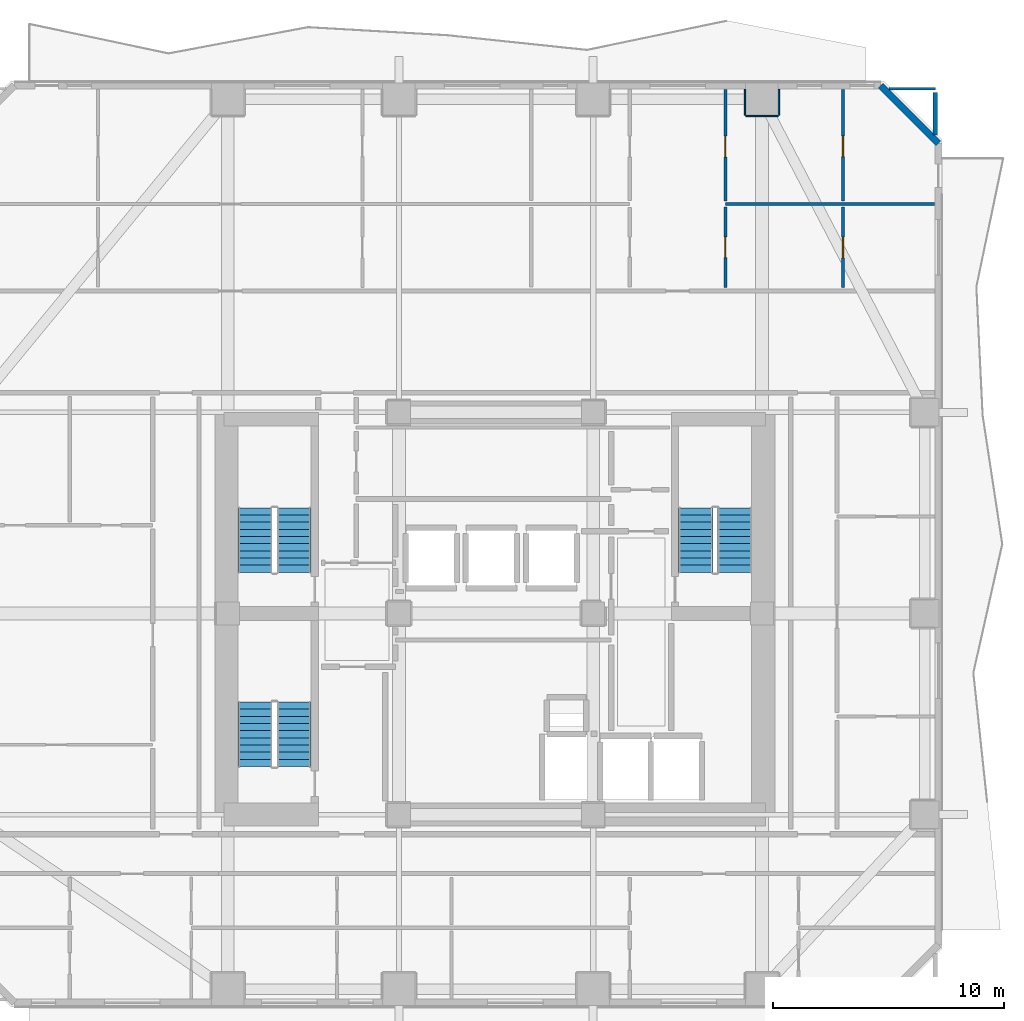
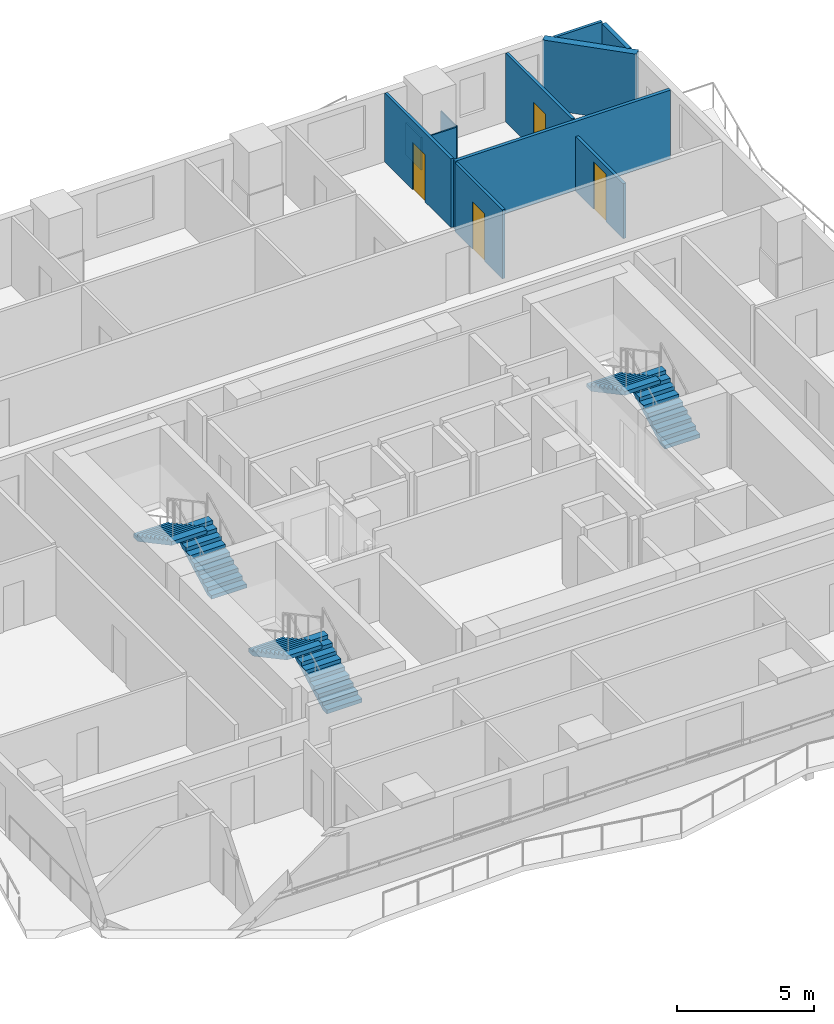
# One storey, part 7 of 12: 11 walls, 6 stair flights, 4 doors, 4 openings, 3 elements without a shape of their own.
"""IFC4 building model written with IfcOpenShell, lengths in metres."""

from ifc_helpers import new_model, si_unit, direction, frame, frame_2d, origin, place, context, subcontext, project, spatial, polyline, rectangle, outline, extrude, material, layer, layer_set, type_object, element, fill, aggregate, save


model = new_model("IFC4")

# Units and contexts
model_context = context("Model", 3, precision=1e-05, world=origin(), true_north=direction((0.0, 1.0)))
body_context = subcontext(model_context, "Body", "Model", "MODEL_VIEW")
ifc_project = project(units=[si_unit("LENGTHUNIT", "METRE"), si_unit("AREAUNIT", "SQUARE_METRE"), si_unit("VOLUMEUNIT", "CUBIC_METRE"), si_unit("PLANEANGLEUNIT", "RADIAN"), si_unit("MASSUNIT", "GRAM", prefix="KILO")], contexts=[model_context])

# Site, building, storey
site_placement = place(None, origin())
site = spatial("IfcSite", under=ifc_project, at=site_placement, CompositionType="ELEMENT")
building_placement = place(site_placement, origin())
building = spatial("IfcBuilding", under=site, at=building_placement, Name="Solanera Arch Residences", CompositionType="ELEMENT")
storey_placement = place(building_placement, frame((0.0, 0.0, 96.1201171875)))
storey = spatial("IfcBuildingStorey", under=building, at=storey_placement, Name="L27", CompositionType="ELEMENT", Elevation=96.1201171875)

# Walls
ifc_material_1 = material(Name="Fire-Rated Gypsum Stud Partition", Category="gypsum")
ifc_layer_1 = layer(ifc_material_1, 0.06005859375)
ifc_layer_set_1 = layer_set([ifc_layer_1], Name="Fire-Rated Gypsum Stud Partition")
wall_type_1 = type_object("IfcWallType", Name="Column Acoustic Furring Wall 60", PredefinedType="PARTITIONING", material=ifc_layer_set_1)
wall_1_placement = place(storey_placement, frame((35.800048828125, 52.218017578125, 0.0), z_axis=(0.0, 0.0, 1.0), x_axis=(1.0, 0.0, 0.0)))
element("IfcWall", 1, at=wall_1_placement, inside=storey, type_object=wall_type_1, Name="L27 Column Furring 16S", PredefinedType="PARTITIONING", context=body_context, shape_type="SweptSolid", body=[
    extrude(rectangle(XDim=1.39990234375, YDim=0.06005859375, at=frame_2d((0.699951171875, 0.0))), origin(), (0.0, 0.0, 1.0), 1.449951171875),
])
for number, where, z_axis, x_axis, name in (
    (2, (35.76806640625, 52.25, 0.0), (0.0, 0.0, 1.0), (0.0, 1.0, 0.0), "L27 Column Furring 16W"),
    (3, (37.23193359375, 52.25, 0.0), (0.0, 0.0, 1.0), (0.0, 1.0, 0.0), "L27 Column Furring 16E"),
):
    element("IfcWall", number, at=place(storey_placement, frame(where, z_axis=z_axis, x_axis=x_axis)), inside=storey, type_object=wall_type_1, Name=name, PredefinedType="PARTITIONING", context=body_context, shape_type="SweptSolid", body=[
        extrude(rectangle(XDim=1.1201171875, YDim=0.06005859375, at=frame_2d((0.56005859375, 0.0))), origin(), (0.0, 0.0, 1.0), 1.449951171875),
    ])
ifc_material_2 = material(Name="Autoclaved Aerated Concrete Blockwork", Category="masonry")
ifc_layer_2 = layer(ifc_material_2, 0.179931640625)
ifc_layer_set_2 = layer_set([ifc_layer_2], Name="Autoclaved Aerated Concrete Blockwork")
wall_type_2 = type_object("IfcWallType", Name="Corridor Fire Partition 180", PredefinedType="PARTITIONING", material=ifc_layer_set_2)
wall_2_placement = place(storey_placement, frame((44.0, 51.39892578125, 0.0), z_axis=(0.0, 0.0, 1.0), x_axis=(0.0, 1.0, 0.0)))
element("IfcWall", 4, at=wall_2_placement, inside=storey, type_object=wall_type_2, Name="L27 Interior Partition V13 2", PredefinedType="PARTITIONING", context=body_context, shape_type="SweptSolid", body=[
    extrude(rectangle(XDim=1.843017578125, YDim=0.179931640625, at=frame_2d((0.92138671875, 0.0))), origin(), (0.0, 0.0, 1.0), 3.059814453125),
])
ifc_material_3 = material(Name="Precast Concrete C35/45", Category="concrete")
ifc_layer_3 = layer(ifc_material_3, 0.300048828125)
ifc_layer_set_3 = layer_set([ifc_layer_3], Name="Precast Concrete C35/45")
wall_type_3 = type_object("IfcWallType", Name="Exterior Wall Precast Masonry-Frame 300", PredefinedType="STANDARD", material=ifc_layer_set_3)
wall_3_placement = place(storey_placement, frame((41.635009765625, 53.534912109375, 0.0), z_axis=(0.0, 0.0, 1.0), x_axis=(0.707106781187, -0.707106781187, 0.0)))
element("IfcWall", 5, at=wall_3_placement, inside=storey, type_object=wall_type_3, Name="L27 Tower Exterior Precast Masonry-Frame Wall CH3", PredefinedType="STANDARD", context=body_context, shape_type="SweptSolid", body=[
    extrude(rectangle(XDim=3.53564453125, YDim=0.300048828125, at=frame_2d((1.767822265625, 0.0))), origin(), (0.0, 0.0, 1.0), 3.059814453125),
])
ifc_material_4 = material(Name="Fire-Rated Gypsum Stud Partition", Category="gypsum")
ifc_layer_4 = layer(ifc_material_4, 0.1201171875)
ifc_layer_set_4 = layer_set([ifc_layer_4], Name="Fire-Rated Gypsum Stud Partition")
wall_type_4 = type_object("IfcWallType", Name="Unit Drywall Partition 120", PredefinedType="PARTITIONING", material=ifc_layer_set_4)
wall_4_placement = place(storey_placement, frame((41.9990234375, 53.39990234375, 0.0), z_axis=(0.0, 0.0, 1.0), x_axis=(1.0, 0.0, 0.0)))
element("IfcWall", 6, at=wall_4_placement, inside=storey, type_object=wall_type_4, Name="L27 Interior Partition H24 2", PredefinedType="PARTITIONING", context=body_context, shape_type="SweptSolid", body=[
    extrude(rectangle(XDim=2.0009765625, YDim=0.1201171875, at=frame_2d((1.00048828125, 0.0))), origin(), (0.0, 0.0, 1.0), 3.059814453125),
])

# Wall, opening, door
wall_5_placement = place(storey_placement, frame((34.919921875, 44.80810546875, 0.0), z_axis=(0.0, 0.0, 1.0), x_axis=(0.0, 1.0, 0.0)))
wall_5 = element("IfcWall", 7, at=wall_5_placement, inside=storey, type_object=wall_type_4, Name="L27 Interior Partition V24 1", PredefinedType="PARTITIONING", context=body_context, shape_type="SweptSolid", body=[
    extrude(rectangle(XDim=3.466796875, YDim=0.1201171875, at=frame_2d((1.7333984375, 0.0))), origin(), (0.0, 0.0, 1.0), 3.059814453125),
])
opening_1_placement = place(wall_5_placement, frame((1.285888671875, 0.0, 0.0)))
opening_1 = element("IfcOpeningElement", 8, at=opening_1_placement, cuts=wall_5, Name="Opening DI-02", PredefinedType="OPENING", context=body_context, shape_type="SweptSolid", body=[
    extrude(rectangle(XDim=0.89990234375, YDim=2.10009765625, at=frame_2d((0.449951171875, 1.050048828125))), frame((0.0, 0.070068359375, 0.0), z_axis=(0.0, -1.0, 0.0), x_axis=(1.0, 0.0, 0.0)), (0.0, 0.0, 1.0), 0.1401),
])
ifc_material_5 = material(Name="Fire-Rated Architectural Hardwood", Category="wood")
door_type_1 = type_object("IfcDoorType", Name="Suite Room Swing Door DI-02", OperationType="NOTDEFINED", PredefinedType="DOOR", material=ifc_material_5)
door_1_placement = place(opening_1_placement, origin())
door_1 = element("IfcDoor", 9, at=door_1_placement, inside=storey, type_object=door_type_1, Name="DR-L27-IN-038", OperationType="SINGLE_SWING_LEFT", OverallHeight=2.10009765625, OverallWidth=0.89990234375, PredefinedType="DOOR", context=body_context, shape_type="SweptSolid", body=[
    extrude(rectangle(XDim=0.89990234375, YDim=2.10009765625, at=frame_2d((0.449951171875, 1.050048828125))), frame((0.0, 0.02490234375, 0.0), z_axis=(0.0, -1.0, 0.0), x_axis=(1.0, 0.0, 0.0)), (0.0, 0.0, 1.0), 0.050048828125),
])
fill(opening_1, door_1)

wall_6_placement = place(storey_placement, frame((34.919921875, 48.551025390625, 0.0), z_axis=(0.0, 0.0, 1.0), x_axis=(0.0, 1.0, 0.0)))
wall_6 = element("IfcWall", 10, at=wall_6_placement, inside=storey, type_object=wall_type_4, Name="L27 Interior Partition V24 2", PredefinedType="PARTITIONING", context=body_context, shape_type="SweptSolid", body=[
    extrude(rectangle(XDim=4.822021484375, YDim=0.1201171875, at=frame_2d((2.4111328125, 0.0))), origin(), (0.0, 0.0, 1.0), 3.059814453125),
])
opening_2_placement = place(wall_6_placement, frame((1.89306640625, 0.0, 0.0)))
opening_2 = element("IfcOpeningElement", 11, at=opening_2_placement, cuts=wall_6, Name="Opening DI-03", PredefinedType="OPENING", context=body_context, shape_type="SweptSolid", body=[
    extrude(rectangle(XDim=0.89990234375, YDim=2.10009765625, at=frame_2d((0.449951171875, 1.050048828125))), frame((0.0, 0.070068359375, 0.0), z_axis=(0.0, -1.0, 0.0), x_axis=(1.0, 0.0, 0.0)), (0.0, 0.0, 1.0), 0.1401),
])
ifc_material_6 = material(Name="Fire-Rated Architectural Hardwood", Category="wood")
door_type_2 = type_object("IfcDoorType", Name="Bedroom Swing Door DI-03", OperationType="NOTDEFINED", PredefinedType="DOOR", material=ifc_material_6)
door_2_placement = place(opening_2_placement, origin())
door_2 = element("IfcDoor", 12, at=door_2_placement, inside=storey, type_object=door_type_2, Name="DR-L27-IN-040", OperationType="SINGLE_SWING_LEFT", OverallHeight=2.10009765625, OverallWidth=0.89990234375, PredefinedType="DOOR", context=body_context, shape_type="SweptSolid", body=[
    extrude(rectangle(XDim=0.89990234375, YDim=2.10009765625, at=frame_2d((0.449951171875, 1.050048828125))), frame((0.0, 0.02490234375, 0.0), z_axis=(0.0, -1.0, 0.0), x_axis=(1.0, 0.0, 0.0)), (0.0, 0.0, 1.0), 0.050048828125),
])
fill(opening_2, door_2)

wall_7_placement = place(storey_placement, frame((40.0048828125, 44.80810546875, 0.0), z_axis=(0.0, 0.0, 1.0), x_axis=(0.0, 1.0, 0.0)))
wall_7 = element("IfcWall", 13, at=wall_7_placement, inside=storey, type_object=wall_type_4, Name="L27 Interior Partition V26 1", PredefinedType="PARTITIONING", context=body_context, shape_type="SweptSolid", body=[
    extrude(rectangle(XDim=3.466796875, YDim=0.1201171875, at=frame_2d((1.7333984375, 0.0))), origin(), (0.0, 0.0, 1.0), 2.44482421875),
])
opening_3_placement = place(wall_7_placement, frame((1.27294921875, 0.0, 0.0)))
opening_3 = element("IfcOpeningElement", 14, at=opening_3_placement, cuts=wall_7, Name="Opening DI-02", PredefinedType="OPENING", context=body_context, shape_type="SweptSolid", body=[
    extrude(rectangle(XDim=0.89990234375, YDim=2.10009765625, at=frame_2d((0.449951171875, 1.050048828125))), frame((0.0, 0.070068359375, 0.0), z_axis=(0.0, -1.0, 0.0), x_axis=(1.0, 0.0, 0.0)), (0.0, 0.0, 1.0), 0.1401),
])
door_3_placement = place(opening_3_placement, origin())
door_3 = element("IfcDoor", 15, at=door_3_placement, inside=storey, type_object=door_type_1, Name="DR-L27-IN-039", OperationType="SINGLE_SWING_RIGHT", OverallHeight=2.10009765625, OverallWidth=0.89990234375, PredefinedType="DOOR", context=body_context, shape_type="SweptSolid", body=[
    extrude(rectangle(XDim=0.89990234375, YDim=2.10009765625, at=frame_2d((0.449951171875, 1.050048828125))), frame((0.0, 0.02490234375, 0.0), z_axis=(0.0, -1.0, 0.0), x_axis=(1.0, 0.0, 0.0)), (0.0, 0.0, 1.0), 0.050048828125),
])
fill(opening_3, door_3)

wall_8_placement = place(storey_placement, frame((40.0048828125, 48.551025390625, 0.0), z_axis=(0.0, 0.0, 1.0), x_axis=(0.0, 1.0, 0.0)))
wall_8 = element("IfcWall", 16, at=wall_8_placement, inside=storey, type_object=wall_type_4, Name="L27 Interior Partition V26 2", PredefinedType="PARTITIONING", context=body_context, shape_type="SweptSolid", body=[
    extrude(rectangle(XDim=4.822021484375, YDim=0.1201171875, at=frame_2d((2.4111328125, 0.0))), origin(), (0.0, 0.0, 1.0), 3.059814453125),
])
opening_4_placement = place(wall_8_placement, frame((1.906005859375, 0.0, 0.0)))
opening_4 = element("IfcOpeningElement", 17, at=opening_4_placement, cuts=wall_8, Name="Opening DI-03", PredefinedType="OPENING", context=body_context, shape_type="SweptSolid", body=[
    extrude(rectangle(XDim=0.89990234375, YDim=2.10009765625, at=frame_2d((0.449951171875, 1.050048828125))), frame((0.0, 0.070068359375, 0.0), z_axis=(0.0, -1.0, 0.0), x_axis=(1.0, 0.0, 0.0)), (0.0, 0.0, 1.0), 0.1401),
])
door_4_placement = place(opening_4_placement, origin())
door_4 = element("IfcDoor", 18, at=door_4_placement, inside=storey, type_object=door_type_2, Name="DR-L27-IN-041", OperationType="SINGLE_SWING_RIGHT", OverallHeight=2.10009765625, OverallWidth=0.89990234375, PredefinedType="DOOR", context=body_context, shape_type="SweptSolid", body=[
    extrude(rectangle(XDim=0.89990234375, YDim=2.10009765625, at=frame_2d((0.449951171875, 1.050048828125))), frame((0.0, 0.02490234375, 0.0), z_axis=(0.0, -1.0, 0.0), x_axis=(1.0, 0.0, 0.0)), (0.0, 0.0, 1.0), 0.050048828125),
])
fill(opening_4, door_4)

# Wall
ifc_material_7 = material(Name="Autoclaved Aerated Concrete Blockwork", Category="masonry")
ifc_layer_5 = layer(ifc_material_7, 0.139892578125)
ifc_layer_set_5 = layer_set([ifc_layer_5], Name="Autoclaved Aerated Concrete Blockwork")
wall_type_5 = type_object("IfcWallType", Name="Wet-Room Partition 140", PredefinedType="PARTITIONING", material=ifc_layer_set_5)
wall_9_placement = place(storey_placement, frame((34.919921875, 48.4130859375, 0.0), z_axis=(0.0, 0.0, 1.0), x_axis=(1.0, 0.0, 0.0)))
element("IfcWall", 19, at=wall_9_placement, inside=storey, type_object=wall_type_5, Name="L27 Interior Partition H19", PredefinedType="PARTITIONING", context=body_context, shape_type="SweptSolid", body=[
    extrude(rectangle(XDim=9.052978515625, YDim=0.139892578125, at=frame_2d((4.5263671875, 0.0))), origin(), (0.0, 0.0, 1.0), 3.059814453125),
])

# Stair, stair flights
ifc_material_8 = material(Name="Concrete C40/50 (f'c = 45 MPa)", Category="concrete")
stair_type = type_object("IfcStairType", Name="Tower Dogleg Exit Stair 1480", PredefinedType="HALF_TURN_STAIR", material=ifc_material_8)
stair_1_placement = place(storey_placement, origin())
stair_1 = element("IfcStair", 20, at=stair_1_placement, inside=storey, type_object=stair_type, Name="L27 Tower Core Exit Stair 1", PredefinedType="HALF_TURN_STAIR")
ifc_material_9 = material(Name="Concrete C40/50 (f'c = 45 MPa)", Category="concrete")
stair_flight_type = type_object("IfcStairFlightType", Name="Tower Precast Stair Flight 1480", PredefinedType="STRAIGHT", material=ifc_material_9)
stair_flight_1_placement = place(storey_placement, frame((16.260009765625, 32.47998046875, 0.0), z_axis=(0.0, 0.0, 1.0), x_axis=(0.0, 1.0, 0.0)))
stair_flight_1 = element("IfcStairFlight", 21, at=stair_flight_1_placement, type_object=stair_flight_type, Name="ST-T1 flight 1", NumberOfRisers=10, NumberOfTreads=9, PredefinedType="STRAIGHT", RiserHeight=0.166, TreadLength=0.31, context=body_context, shape_type="SweptSolid", body=[
    extrude(outline(polyline([(0.0, 0.0), (0.0, 0.166015625), (0.31005859375, 0.166015625), (0.31005859375, 0.33203125), (0.6201171875, 0.33203125), (0.6201171875, 0.498046875), (0.929931640625, 0.498046875), (0.929931640625, 0.6640625), (1.239990234375, 0.6640625), (1.239990234375, 0.830078125), (1.550048828125, 0.830078125), (1.550048828125, 0.99609375), (1.860107421875, 0.99609375), (1.860107421875, 1.162109375), (2.169921875, 1.162109375), (2.169921875, 1.327880859375), (2.47998046875, 1.327880859375), (2.47998046875, 1.493896484375), (2.7900390625, 1.493896484375), (2.7900390625, 1.659912109375), (2.7900390625, 1.323974609375), (0.317626953125, 0.0), (0.0, 0.0)])), frame((0.0, 0.739990234375, 0.0), z_axis=(0.0, -1.0, 0.0), x_axis=(1.0, 0.0, 0.0)), (0.0, 0.0, 1.0), 1.47998046875),
])
stair_flight_2_placement = place(storey_placement, frame((14.580078125, 35.27001953125, 1.659912109375), z_axis=(0.0, 0.0, 1.0), x_axis=(0.0, -1.0, 0.0)))
stair_flight_2 = element("IfcStairFlight", 22, at=stair_flight_2_placement, type_object=stair_flight_type, Name="ST-T1 flight 2", NumberOfRisers=10, NumberOfTreads=9, PredefinedType="STRAIGHT", RiserHeight=0.166, TreadLength=0.31, context=body_context, shape_type="SweptSolid", body=[
    extrude(outline(polyline([(0.0, 0.0), (0.0, 0.166015625), (0.31005859375, 0.166015625), (0.31005859375, 0.33203125), (0.6201171875, 0.33203125), (0.6201171875, 0.498046875), (0.929931640625, 0.498046875), (0.929931640625, 0.6640625), (1.239990234375, 0.6640625), (1.239990234375, 0.830078125), (1.550048828125, 0.830078125), (1.550048828125, 0.99609375), (1.860107421875, 0.99609375), (1.860107421875, 1.162109375), (2.169921875, 1.162109375), (2.169921875, 1.327880859375), (2.47998046875, 1.327880859375), (2.47998046875, 1.493896484375), (2.7900390625, 1.493896484375), (2.7900390625, 1.659912109375), (2.7900390625, 1.323974609375), (0.317626953125, 0.0), (0.0, 0.0)])), frame((0.0, 0.739990234375, 0.0), z_axis=(0.0, -1.0, 0.0), x_axis=(1.0, 0.0, 0.0)), (0.0, 0.0, 1.0), 1.47998046875),
])
aggregate(stair_1, [stair_flight_1, stair_flight_2])

stair_2_placement = place(storey_placement, origin())
stair_2 = element("IfcStair", 23, at=stair_2_placement, inside=storey, type_object=stair_type, Name="L27 Tower Core Exit Stair 2", PredefinedType="HALF_TURN_STAIR")
stair_flight_3_placement = place(storey_placement, frame((35.320068359375, 32.47998046875, 0.0), z_axis=(0.0, 0.0, 1.0), x_axis=(0.0, 1.0, 0.0)))
stair_flight_3 = element("IfcStairFlight", 24, at=stair_flight_3_placement, type_object=stair_flight_type, Name="ST-T2 flight 1", NumberOfRisers=10, NumberOfTreads=9, PredefinedType="STRAIGHT", RiserHeight=0.166, TreadLength=0.31, context=body_context, shape_type="SweptSolid", body=[
    extrude(outline(polyline([(0.0, 0.0), (0.0, 0.166015625), (0.31005859375, 0.166015625), (0.31005859375, 0.33203125), (0.6201171875, 0.33203125), (0.6201171875, 0.498046875), (0.929931640625, 0.498046875), (0.929931640625, 0.6640625), (1.239990234375, 0.6640625), (1.239990234375, 0.830078125), (1.550048828125, 0.830078125), (1.550048828125, 0.99609375), (1.860107421875, 0.99609375), (1.860107421875, 1.162109375), (2.169921875, 1.162109375), (2.169921875, 1.327880859375), (2.47998046875, 1.327880859375), (2.47998046875, 1.493896484375), (2.7900390625, 1.493896484375), (2.7900390625, 1.659912109375), (2.7900390625, 1.323974609375), (0.317626953125, 0.0), (0.0, 0.0)])), frame((0.0, 0.739990234375, 0.0), z_axis=(0.0, -1.0, 0.0), x_axis=(1.0, 0.0, 0.0)), (0.0, 0.0, 1.0), 1.47998046875),
])
stair_flight_4_placement = place(storey_placement, frame((33.639892578125, 35.27001953125, 1.659912109375), z_axis=(0.0, 0.0, 1.0), x_axis=(0.0, -1.0, 0.0)))
stair_flight_4 = element("IfcStairFlight", 25, at=stair_flight_4_placement, type_object=stair_flight_type, Name="ST-T2 flight 2", NumberOfRisers=10, NumberOfTreads=9, PredefinedType="STRAIGHT", RiserHeight=0.166, TreadLength=0.31, context=body_context, shape_type="SweptSolid", body=[
    extrude(outline(polyline([(0.0, 0.0), (0.0, 0.166015625), (0.31005859375, 0.166015625), (0.31005859375, 0.33203125), (0.6201171875, 0.33203125), (0.6201171875, 0.498046875), (0.929931640625, 0.498046875), (0.929931640625, 0.6640625), (1.239990234375, 0.6640625), (1.239990234375, 0.830078125), (1.550048828125, 0.830078125), (1.550048828125, 0.99609375), (1.860107421875, 0.99609375), (1.860107421875, 1.162109375), (2.169921875, 1.162109375), (2.169921875, 1.327880859375), (2.47998046875, 1.327880859375), (2.47998046875, 1.493896484375), (2.7900390625, 1.493896484375), (2.7900390625, 1.659912109375), (2.7900390625, 1.323974609375), (0.317626953125, 0.0), (0.0, 0.0)])), frame((0.0, 0.739990234375, 0.0), z_axis=(0.0, -1.0, 0.0), x_axis=(1.0, 0.0, 0.0)), (0.0, 0.0, 1.0), 1.47998046875),
])
aggregate(stair_2, [stair_flight_3, stair_flight_4])

stair_3_placement = place(storey_placement, origin())
stair_3 = element("IfcStair", 26, at=stair_3_placement, inside=storey, type_object=stair_type, Name="L27 Tower Core Exit Stair 3", PredefinedType="HALF_TURN_STAIR")
stair_flight_5_placement = place(storey_placement, frame((16.260009765625, 24.080078125, 0.0), z_axis=(0.0, 0.0, 1.0), x_axis=(0.0, 1.0, 0.0)))
stair_flight_5 = element("IfcStairFlight", 27, at=stair_flight_5_placement, type_object=stair_flight_type, Name="ST-T3 flight 1", NumberOfRisers=10, NumberOfTreads=9, PredefinedType="STRAIGHT", RiserHeight=0.166, TreadLength=0.31, context=body_context, shape_type="SweptSolid", body=[
    extrude(outline(polyline([(0.0, 0.0), (0.0, 0.166015625), (0.31005859375, 0.166015625), (0.31005859375, 0.33203125), (0.6201171875, 0.33203125), (0.6201171875, 0.498046875), (0.929931640625, 0.498046875), (0.929931640625, 0.6640625), (1.239990234375, 0.6640625), (1.239990234375, 0.830078125), (1.550048828125, 0.830078125), (1.550048828125, 0.99609375), (1.860107421875, 0.99609375), (1.860107421875, 1.162109375), (2.169921875, 1.162109375), (2.169921875, 1.327880859375), (2.47998046875, 1.327880859375), (2.47998046875, 1.493896484375), (2.7900390625, 1.493896484375), (2.7900390625, 1.659912109375), (2.7900390625, 1.323974609375), (0.317626953125, 0.0), (0.0, 0.0)])), frame((0.0, 0.739990234375, 0.0), z_axis=(0.0, -1.0, 0.0), x_axis=(1.0, 0.0, 0.0)), (0.0, 0.0, 1.0), 1.47998046875),
])
stair_flight_6_placement = place(storey_placement, frame((14.580078125, 26.8701171875, 1.659912109375), z_axis=(0.0, 0.0, 1.0), x_axis=(0.0, -1.0, 0.0)))
stair_flight_6 = element("IfcStairFlight", 28, at=stair_flight_6_placement, type_object=stair_flight_type, Name="ST-T3 flight 2", NumberOfRisers=10, NumberOfTreads=9, PredefinedType="STRAIGHT", RiserHeight=0.166, TreadLength=0.31, context=body_context, shape_type="SweptSolid", body=[
    extrude(outline(polyline([(0.0, 0.0), (0.0, 0.166015625), (0.31005859375, 0.166015625), (0.31005859375, 0.33203125), (0.6201171875, 0.33203125), (0.6201171875, 0.498046875), (0.929931640625, 0.498046875), (0.929931640625, 0.6640625), (1.239990234375, 0.6640625), (1.239990234375, 0.830078125), (1.550048828125, 0.830078125), (1.550048828125, 0.99609375), (1.860107421875, 0.99609375), (1.860107421875, 1.162109375), (2.169921875, 1.162109375), (2.169921875, 1.327880859375), (2.47998046875, 1.327880859375), (2.47998046875, 1.493896484375), (2.7900390625, 1.493896484375), (2.7900390625, 1.659912109375), (2.7900390625, 1.323974609375), (0.317626953125, 0.0), (0.0, 0.0)])), frame((0.0, 0.739990234375, 0.0), z_axis=(0.0, -1.0, 0.0), x_axis=(1.0, 0.0, 0.0)), (0.0, 0.0, 1.0), 1.47998046875),
])
aggregate(stair_3, [stair_flight_5, stair_flight_6])

save(model, "model.ifc")
